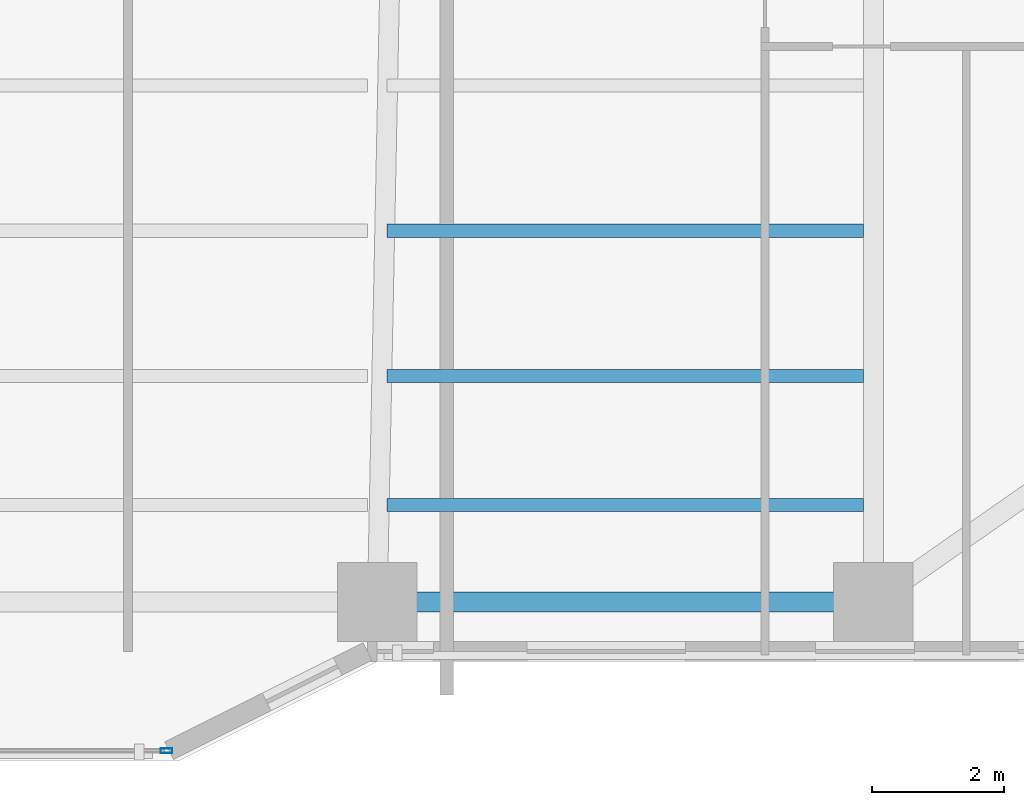
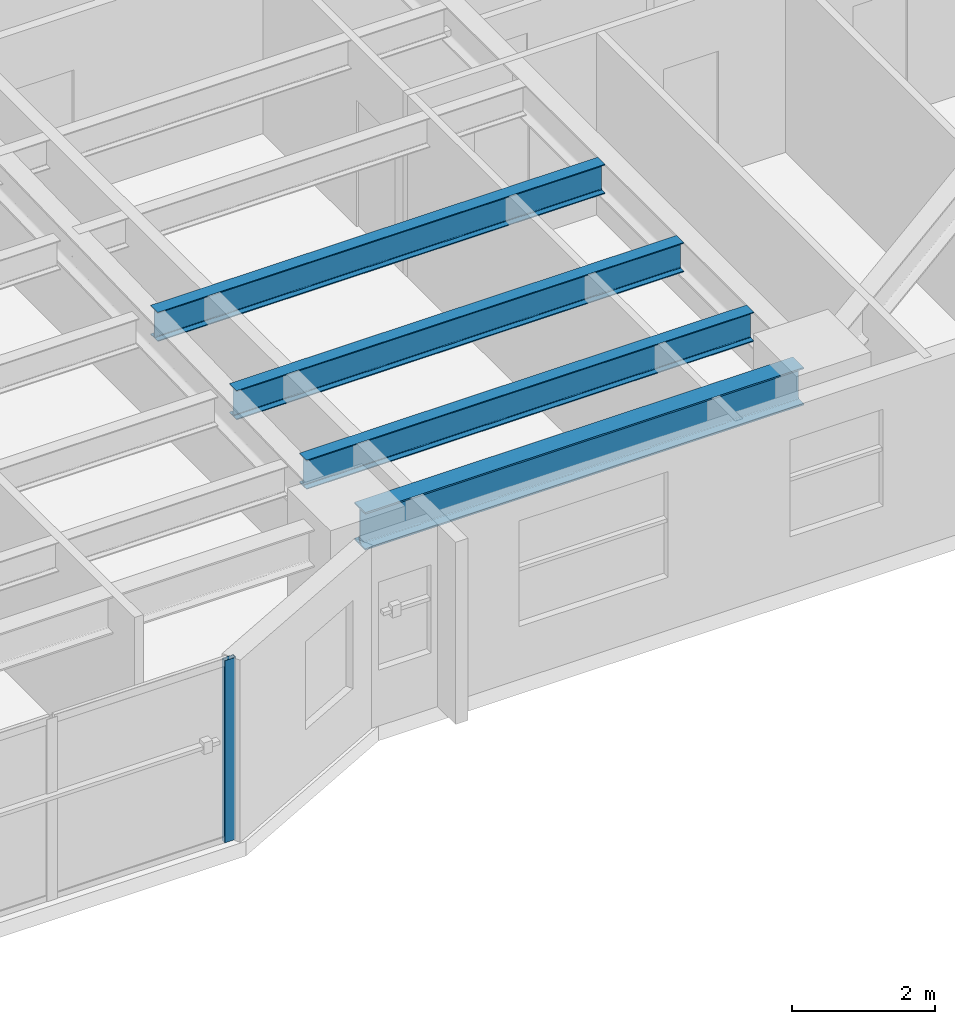
# One storey, part 4 of 20: 4 beams, 1 member, 1 element without a shape of its own.
"""IFC4 building model written with IfcOpenShell, lengths in metres."""

from ifc_helpers import new_model, si_unit, direction, frame, origin, origin_2d, place, context, subcontext, project, spatial, hollow_rectangle, i_section, extrude, material, layer, layer_set, material_profile, profile_set, type_object, element, aggregate, save


model = new_model("IFC4")

# Units and contexts
model_context = context("Model", 3, precision=1e-05, world=origin(), true_north=direction((0.0, 1.0)))
body_context = subcontext(model_context, "Body", "Model", "MODEL_VIEW")
ifc_project = project(units=[si_unit("LENGTHUNIT", "METRE"), si_unit("AREAUNIT", "SQUARE_METRE"), si_unit("VOLUMEUNIT", "CUBIC_METRE"), si_unit("PLANEANGLEUNIT", "RADIAN"), si_unit("MASSUNIT", "GRAM", prefix="KILO")], contexts=[model_context])

# Site, building, storey
site_placement = place(None, origin())
site = spatial("IfcSite", under=ifc_project, at=site_placement, CompositionType="ELEMENT")
building_placement = place(site_placement, origin())
building = spatial("IfcBuilding", under=site, at=building_placement, Name="Tarnavaz Court Tower", CompositionType="ELEMENT")
storey_placement = place(building_placement, frame((0.0, 0.0, 30.699951171875)))
storey = spatial("IfcBuildingStorey", under=building, at=storey_placement, Name="L07", CompositionType="ELEMENT", Elevation=30.699951171875)

# Beams
ifc_material_1 = material(Name="Steel S355", Category="steel")
ifc_material_profile_1 = material_profile(ifc_material_1, i_section(OverallWidth=0.199951171875, OverallDepth=0.5, WebThickness=0.01025390625, FlangeThickness=0.01611328125, FilletRadius=0.02099609375, at=origin_2d()), Name="IPE 500")
ifc_profile_set_1 = profile_set([ifc_material_profile_1], Name="Steel S355")
beam_type_1 = type_object("IfcBeamType", Name="BM-J-IPE500", PredefinedType="JOIST", material=ifc_profile_set_1)
for number, where, z_axis, x_axis, name in (
    (1, (7.64990234375, -17.18798828125, 2.85009765625), (1.0, 0.0, 0.0), (0.0, 1.0, 0.0), "L07 Beam JS3-3"),
    (2, (7.64990234375, -19.384033203125, 2.85009765625), (1.0, 0.0, 0.0), (0.0, 1.0, 0.0), "L07 Beam JS4-3"),
    (3, (7.64990234375, -21.3359375, 2.85009765625), (1.0, 0.0, 0.0), (0.0, 1.0, 0.0), "L07 Beam JS5-3"),
):
    element("IfcBeam", number, at=place(storey_placement, frame(where, z_axis=z_axis, x_axis=x_axis)), inside=storey, type_object=beam_type_1, Name=name, PredefinedType="JOIST", context=body_context, shape_type="SweptSolid", body=[
        extrude(i_section(OverallWidth=0.199951171875, OverallDepth=0.5, WebThickness=0.01025390625, FlangeThickness=0.01611328125, FilletRadius=0.02099609375, at=origin_2d()), origin(), (0.0, 0.0, 1.0), 7.2001953125),
    ])
ifc_material_profile_2 = material_profile(ifc_material_1, i_section(OverallWidth=0.300048828125, OverallDepth=0.639892578125, WebThickness=0.013427734375, FlangeThickness=0.02587890625, FilletRadius=0.027099609375, at=origin_2d()), Name="HEA 650")
ifc_profile_set_2 = profile_set([ifc_material_profile_2], Name="Steel S355")
beam_type_2 = type_object("IfcBeamType", Name="BM-SP-HEA650", PredefinedType="SPANDREL", material=ifc_profile_set_2)
beam_placement = place(storey_placement, frame((7.719970703125, -22.800048828125, 2.780029296875), z_axis=(1.0, 0.0, 0.0), x_axis=(0.0, 1.0, 0.0)))
element("IfcBeam", 4, at=beam_placement, inside=storey, type_object=beam_type_2, Name="L07 Beam PR-PS-3-PS-4", PredefinedType="SPANDREL", context=body_context, shape_type="SweptSolid", body=[
    extrude(i_section(OverallWidth=0.300048828125, OverallDepth=0.639892578125, WebThickness=0.013427734375, FlangeThickness=0.02587890625, FilletRadius=0.027099609375, at=origin_2d()), origin(), (0.0, 0.0, 1.0), 7.06005859375),
])

# Curtain wall, member
ifc_material_2 = material(Name="Anodised Aluminium 6063-T6 and Solar Low-E Glazing", Category="aluminium")
ifc_layer = layer(ifc_material_2, 0.179931640625)
ifc_layer_set = layer_set([ifc_layer], Name="Anodised Aluminium 6063-T6 and Solar Low-E Glazing")
curtain_wall_type = type_object("IfcCurtainWallType", Name="CW-SYS-02", PredefinedType="NOTDEFINED", material=ifc_layer_set)
curtain_wall_placement = place(storey_placement, origin())
curtain_wall = element("IfcCurtainWall", 5, at=curtain_wall_placement, inside=storey, type_object=curtain_wall_type, Name="L07 Iwan Prow Curtain Wall 17", PredefinedType="NOTDEFINED")
ifc_material_3 = material(Name="Anodised Aluminium 6063-T6", Category="aluminium")
ifc_material_profile_3 = material_profile(ifc_material_3, hollow_rectangle(XDim=0.074951171875, YDim=0.179931640625, WallThickness=0.0048828125, InnerFilletRadius=0.0048828125, OuterFilletRadius=0.010009765625, at=origin_2d()), Name="ALU RHS 180X75X5")
ifc_profile_set_3 = profile_set([ifc_material_profile_3], Name="Anodised Aluminium 6063-T6")
member_type = type_object("IfcMemberType", Name="CW-MUL-180", PredefinedType="MULLION", material=ifc_profile_set_3)
member_placement = place(storey_placement, frame((4.3125, -25.050048828125, 0.0), z_axis=(0.0, 0.0, 1.0), x_axis=(0.0, -1.0, 0.0)))
member = element("IfcMember", 6, at=member_placement, type_object=member_type, Name="CW mullion 1", PredefinedType="MULLION", context=body_context, shape_type="SweptSolid", body=[
    extrude(hollow_rectangle(XDim=0.074951171875, YDim=0.179931640625, WallThickness=0.0048828125, InnerFilletRadius=0.0048828125, OuterFilletRadius=0.010009765625, at=origin_2d()), origin(), (0.0, 0.0, 1.0), 3.10009765625),
])
aggregate(curtain_wall, [member])

save(model, "model.ifc")
